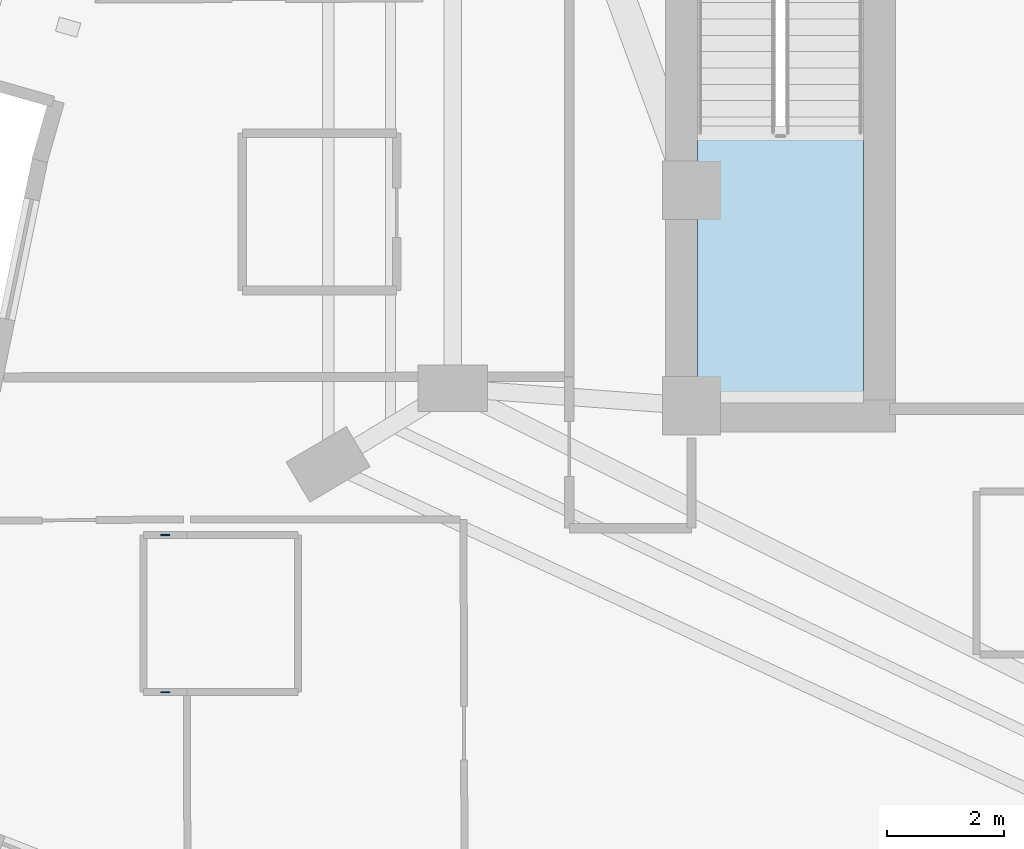
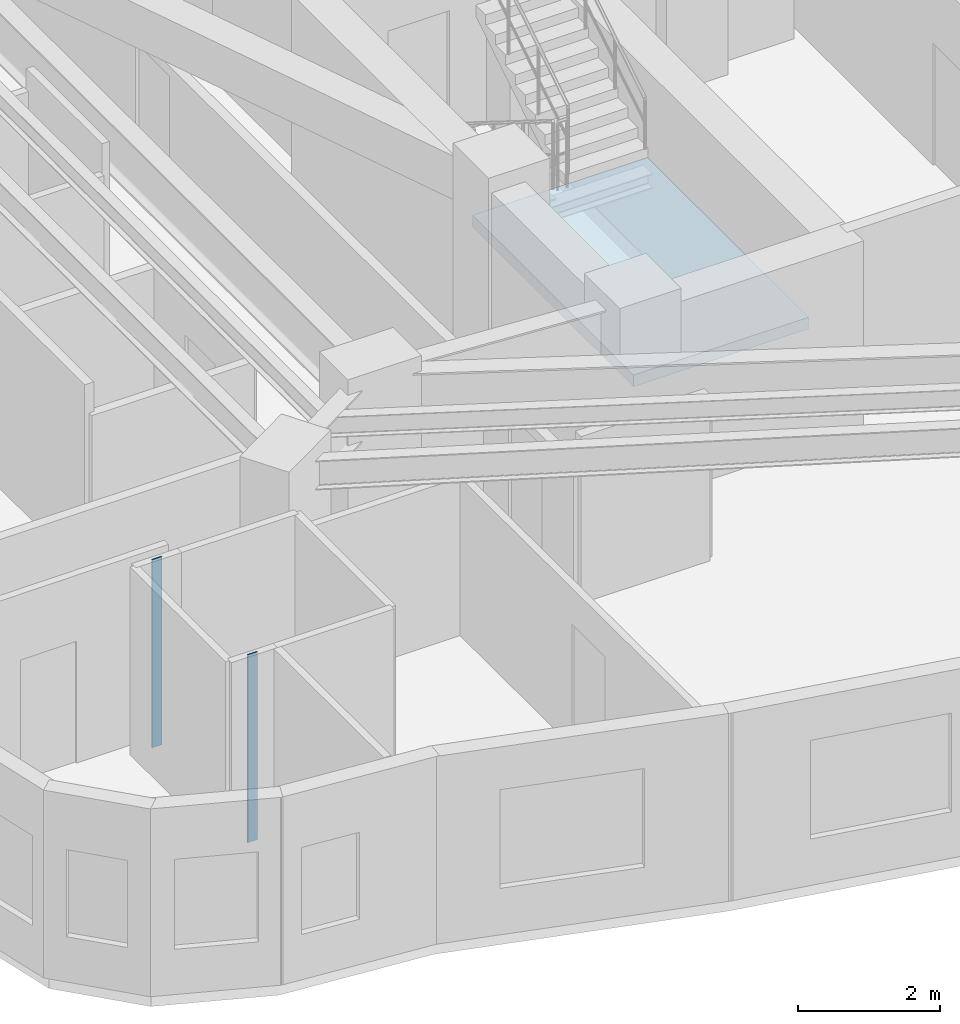
# One storey, part 2 of 14: 2 plates, 1 slab, 1 element without a shape of its own.
"""IFC4 building model written with IfcOpenShell, lengths in metres."""

from ifc_helpers import new_model, si_unit, direction, frame, origin, origin_2d, place, context, subcontext, project, spatial, polyline, rectangle, outline, extrude, material, layer, layer_set, type_object, element, aggregate, save


model = new_model("IFC4")

# Units and contexts
model_context = context("Model", 3, precision=1e-05, world=origin(), true_north=direction((0.0, 1.0)))
body_context = subcontext(model_context, "Body", "Model", "MODEL_VIEW")
ifc_project = project(units=[si_unit("LENGTHUNIT", "METRE"), si_unit("AREAUNIT", "SQUARE_METRE"), si_unit("VOLUMEUNIT", "CUBIC_METRE"), si_unit("PLANEANGLEUNIT", "RADIAN"), si_unit("MASSUNIT", "GRAM", prefix="KILO")], contexts=[model_context])

# Site, building, storey
site_placement = place(None, origin())
site = spatial("IfcSite", under=ifc_project, at=site_placement, CompositionType="ELEMENT")
building_placement = place(site_placement, origin())
building = spatial("IfcBuilding", under=site, at=building_placement, Name="Miruveldt Soraemaru", CompositionType="ELEMENT")
storey_placement = place(building_placement, frame((0.0, 0.0, 114.39990234375)))
storey = spatial("IfcBuildingStorey", under=building, at=storey_placement, Name="L31", CompositionType="ELEMENT", Elevation=114.39990234375)

# Plates
ifc_material_1 = material(Name="Anodised aluminium EN AW-6063 T6", Category="aluminium")
ifc_layer_1 = layer(ifc_material_1, 0.02001953125, Name="Anodised aluminium EN AW-6063 T6", Category="aluminium")
ifc_layer_set_1 = layer_set([ifc_layer_1], Name="Anodised aluminium EN AW-6063 T6")
plate_type = type_object("IfcPlateType", Name="PLT-PART-TRIM", PredefinedType="SHEET", material=ifc_layer_set_1)
for number, where, z_axis, x_axis, name in (
    (1, (26.464111328125, 33.282958984375, 0.0), (0.0, 0.0, 1.0), (-1.0, 0.0, 0.0), "L31 Partition Step Corner Trim Plate 072"),
    (2, (26.464111328125, 30.5830078125, 0.0), (0.0, 0.0, 1.0), (1.0, 0.0, 0.0), "L31 Partition Step Corner Trim Plate 074"),
):
    element("IfcPlate", number, at=place(storey_placement, frame(where, z_axis=z_axis, x_axis=x_axis)), inside=storey, type_object=plate_type, Name=name, PredefinedType="SHEET", context=body_context, shape_type="SweptSolid", body=[
        extrude(rectangle(XDim=0.159912109375, YDim=0.02001953125, at=origin_2d()), origin(), (0.0, 0.0, 1.0), 3.235107421875),
    ])

# Stair, slab
ifc_material_2 = material(Name="Concrete C40/50 (40 MPa)", Category="concrete")
stair_type = type_object("IfcStairType", Name="STAIR-DL-350", PredefinedType="HALF_TURN_STAIR", material=ifc_material_2)
stair_placement = place(storey_placement, origin())
stair = element("IfcStair", 3, at=stair_placement, inside=storey, type_object=stair_type, Name="L31 Protected Exit Stair ST-1", PredefinedType="HALF_TURN_STAIR")
ifc_layer_2 = layer(ifc_material_2, 0.199951171875, Name="Concrete C40/50 (40 MPa)", Category="concrete")
ifc_layer_set_2 = layer_set([ifc_layer_2], Name="Concrete C40/50 (40 MPa)")
slab_type = type_object("IfcSlabType", Name="SLAB-LAND-200", PredefinedType="LANDING", material=ifc_layer_set_2)
slab_placement = place(storey_placement, frame((0.0, 0.0, 1.550048828125)))
slab = element("IfcSlab", 4, at=slab_placement, type_object=slab_type, Name="ST-1 landing 1", PredefinedType="LANDING", context=body_context, shape_type="SweptSolid", body=[
    extrude(outline(polyline([(35.60009765625, 40.197998046875), (35.60009765625, 35.64990234375), (38.449951171875, 35.64990234375), (38.449951171875, 40.197998046875), (35.60009765625, 40.197998046875)])), origin(), (0.0, 0.0, 1.0), 0.199951171875),
])
aggregate(stair, [slab])

save(model, "model.ifc")
